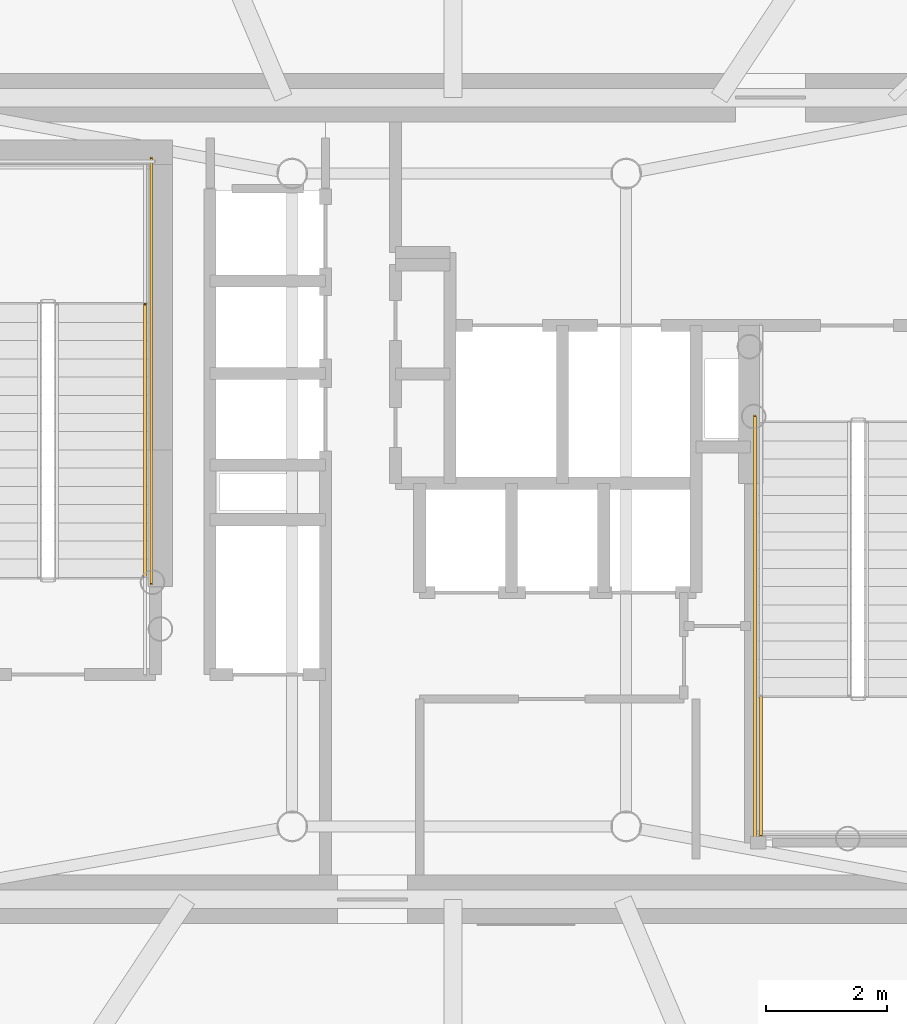
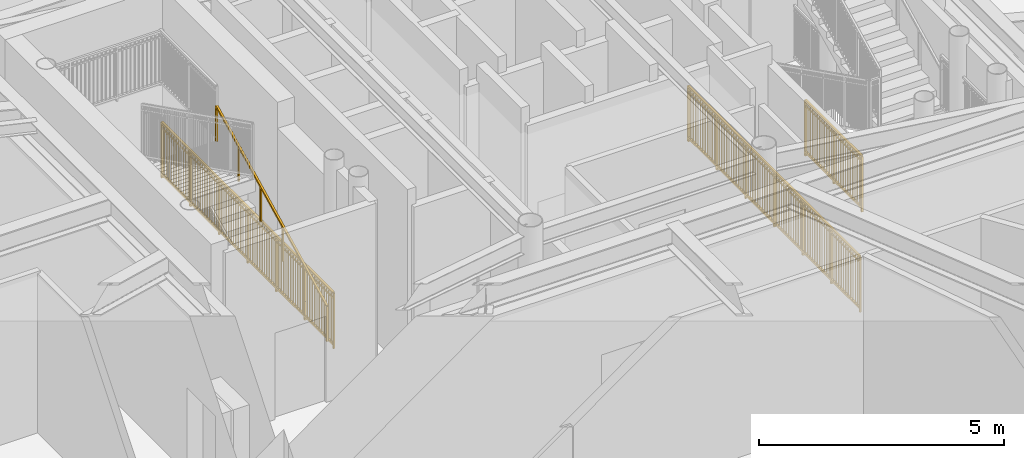
# One storey, part 33 of 38: 4 railings.
"""IFC4 building model written with IfcOpenShell, lengths in metres."""

from ifc_helpers import new_model, si_unit, direction, frame, origin, origin_2d, place, context, subcontext, project, spatial, rectangle, extrude, source, transform, mapped, material, type_object, element, save


model = new_model("IFC4")

# Units and contexts
model_context = context("Model", 3, precision=1e-05, world=origin(), true_north=direction((0.0, 1.0)))
body_context = subcontext(model_context, "Body", "Model", "MODEL_VIEW")
ifc_project = project(units=[si_unit("LENGTHUNIT", "METRE"), si_unit("AREAUNIT", "SQUARE_METRE"), si_unit("VOLUMEUNIT", "CUBIC_METRE"), si_unit("PLANEANGLEUNIT", "RADIAN"), si_unit("MASSUNIT", "GRAM", prefix="KILO")], contexts=[model_context])

# Site, building, storey
site_placement = place(None, origin())
site = spatial("IfcSite", under=ifc_project, at=site_placement, CompositionType="ELEMENT")
building_placement = place(site_placement, origin())
building = spatial("IfcBuilding", under=site, at=building_placement, Name="Linh Dai School and Residence Tower", CompositionType="ELEMENT")
storey_placement = place(building_placement, frame((0.0, 0.0, 151.35009765625)))
storey = spatial("IfcBuildingStorey", under=building, at=storey_placement, Name="L36", CompositionType="ELEMENT", Elevation=151.35009765625)

# Railings
ifc_material_1 = material(Name="Structural Steel S355JR", Category="steel")
railing_type_1 = type_object("IfcRailingType", Name="RL-ST-GUARD-1400", PredefinedType="GUARDRAIL", material=ifc_material_1)
shared_shape_1 = source(origin(), body_context, "Body", "SweptSolid", [
    extrude(rectangle(XDim=0.048095703125, YDim=0.048095703125, at=origin_2d()), frame((0.0, 0.0, 1.3759765625), z_axis=(0.0, 1.0, 0.0), x_axis=(-1.0, 0.0, 0.0)), (0.0, 0.0, 1.0), 7.0),
    extrude(rectangle(XDim=0.048095703125, YDim=0.048095703125, at=origin_2d()), frame((0.0, 0.0, 0.10009765625), z_axis=(0.0, 1.0, 0.0), x_axis=(-1.0, 0.0, 0.0)), (0.0, 0.0, 1.0), 7.0),
    extrude(rectangle(XDim=0.030029296875, YDim=0.030029296875, at=origin_2d()), frame((0.0, 0.0, 1.239990234375), z_axis=(0.0, 1.0, 0.0), x_axis=(-1.0, 0.0, 0.0)), (0.0, 0.0, 1.0), 7.0),
    extrude(rectangle(XDim=0.02001953125, YDim=0.02001953125, at=origin_2d()), frame((0.0, 0.09716796875, 0.10009765625)), (0.0, 0.0, 1.0), 1.251708984375),
    extrude(rectangle(XDim=0.02001953125, YDim=0.02001953125, at=origin_2d()), frame((0.0, 0.1943359375, 0.10009765625)), (0.0, 0.0, 1.0), 1.251708984375),
    extrude(rectangle(XDim=0.02001953125, YDim=0.02001953125, at=origin_2d()), frame((0.0, 0.291748046875, 0.10009765625)), (0.0, 0.0, 1.0), 1.251708984375),
    extrude(rectangle(XDim=0.02001953125, YDim=0.02001953125, at=origin_2d()), frame((0.0, 0.388916015625, 0.10009765625)), (0.0, 0.0, 1.0), 1.251708984375),
    extrude(rectangle(XDim=0.02001953125, YDim=0.02001953125, at=origin_2d()), frame((0.0, 0.486083984375, 0.10009765625)), (0.0, 0.0, 1.0), 1.251708984375),
    extrude(rectangle(XDim=0.02001953125, YDim=0.02001953125, at=origin_2d()), frame((0.0, 0.583251953125, 0.10009765625)), (0.0, 0.0, 1.0), 1.251708984375),
    extrude(rectangle(XDim=0.02001953125, YDim=0.02001953125, at=origin_2d()), frame((0.0, 0.6806640625, 0.10009765625)), (0.0, 0.0, 1.0), 1.251708984375),
    extrude(rectangle(XDim=0.02001953125, YDim=0.02001953125, at=origin_2d()), frame((0.0, 0.77783203125, 0.10009765625)), (0.0, 0.0, 1.0), 1.251708984375),
    extrude(rectangle(XDim=0.02001953125, YDim=0.02001953125, at=origin_2d()), frame((0.0, 0.875, 0.10009765625)), (0.0, 0.0, 1.0), 1.251708984375),
    extrude(rectangle(XDim=0.02001953125, YDim=0.02001953125, at=origin_2d()), frame((0.0, 0.97216796875, 0.10009765625)), (0.0, 0.0, 1.0), 1.251708984375),
    extrude(rectangle(XDim=0.02001953125, YDim=0.02001953125, at=origin_2d()), frame((0.0, 1.0693359375, 0.10009765625)), (0.0, 0.0, 1.0), 1.251708984375),
    extrude(rectangle(XDim=0.02001953125, YDim=0.02001953125, at=origin_2d()), frame((0.0, 1.263916015625, 0.10009765625)), (0.0, 0.0, 1.0), 1.251708984375),
    extrude(rectangle(XDim=0.02001953125, YDim=0.02001953125, at=origin_2d()), frame((0.0, 1.361083984375, 0.10009765625)), (0.0, 0.0, 1.0), 1.251708984375),
    extrude(rectangle(XDim=0.02001953125, YDim=0.02001953125, at=origin_2d()), frame((0.0, 1.458251953125, 0.10009765625)), (0.0, 0.0, 1.0), 1.251708984375),
    extrude(rectangle(XDim=0.02001953125, YDim=0.02001953125, at=origin_2d()), frame((0.0, 1.5556640625, 0.10009765625)), (0.0, 0.0, 1.0), 1.251708984375),
    extrude(rectangle(XDim=0.02001953125, YDim=0.02001953125, at=origin_2d()), frame((0.0, 1.65283203125, 0.10009765625)), (0.0, 0.0, 1.0), 1.251708984375),
    extrude(rectangle(XDim=0.02001953125, YDim=0.02001953125, at=origin_2d()), frame((0.0, 1.75, 0.10009765625)), (0.0, 0.0, 1.0), 1.251708984375),
    extrude(rectangle(XDim=0.02001953125, YDim=0.02001953125, at=origin_2d()), frame((0.0, 1.84716796875, 0.10009765625)), (0.0, 0.0, 1.0), 1.251708984375),
    extrude(rectangle(XDim=0.02001953125, YDim=0.02001953125, at=origin_2d()), frame((0.0, 1.9443359375, 0.10009765625)), (0.0, 0.0, 1.0), 1.251708984375),
    extrude(rectangle(XDim=0.02001953125, YDim=0.02001953125, at=origin_2d()), frame((0.0, 2.041748046875, 0.10009765625)), (0.0, 0.0, 1.0), 1.251708984375),
    extrude(rectangle(XDim=0.02001953125, YDim=0.02001953125, at=origin_2d()), frame((0.0, 2.138916015625, 0.10009765625)), (0.0, 0.0, 1.0), 1.251708984375),
    extrude(rectangle(XDim=0.02001953125, YDim=0.02001953125, at=origin_2d()), frame((0.0, 2.236083984375, 0.10009765625)), (0.0, 0.0, 1.0), 1.251708984375),
    extrude(rectangle(XDim=0.02001953125, YDim=0.02001953125, at=origin_2d()), frame((0.0, 2.4306640625, 0.10009765625)), (0.0, 0.0, 1.0), 1.251708984375),
    extrude(rectangle(XDim=0.02001953125, YDim=0.02001953125, at=origin_2d()), frame((0.0, 2.52783203125, 0.10009765625)), (0.0, 0.0, 1.0), 1.251708984375),
    extrude(rectangle(XDim=0.02001953125, YDim=0.02001953125, at=origin_2d()), frame((0.0, 2.625, 0.10009765625)), (0.0, 0.0, 1.0), 1.251708984375),
    extrude(rectangle(XDim=0.02001953125, YDim=0.02001953125, at=origin_2d()), frame((0.0, 2.72216796875, 0.10009765625)), (0.0, 0.0, 1.0), 1.251708984375),
    extrude(rectangle(XDim=0.02001953125, YDim=0.02001953125, at=origin_2d()), frame((0.0, 2.8193359375, 0.10009765625)), (0.0, 0.0, 1.0), 1.251708984375),
    extrude(rectangle(XDim=0.02001953125, YDim=0.02001953125, at=origin_2d()), frame((0.0, 2.916748046875, 0.10009765625)), (0.0, 0.0, 1.0), 1.251708984375),
    extrude(rectangle(XDim=0.02001953125, YDim=0.02001953125, at=origin_2d()), frame((0.0, 3.013916015625, 0.10009765625)), (0.0, 0.0, 1.0), 1.251708984375),
    extrude(rectangle(XDim=0.02001953125, YDim=0.02001953125, at=origin_2d()), frame((0.0, 3.111083984375, 0.10009765625)), (0.0, 0.0, 1.0), 1.251708984375),
    extrude(rectangle(XDim=0.02001953125, YDim=0.02001953125, at=origin_2d()), frame((0.0, 3.208251953125, 0.10009765625)), (0.0, 0.0, 1.0), 1.251708984375),
    extrude(rectangle(XDim=0.02001953125, YDim=0.02001953125, at=origin_2d()), frame((0.0, 3.3056640625, 0.10009765625)), (0.0, 0.0, 1.0), 1.251708984375),
    extrude(rectangle(XDim=0.02001953125, YDim=0.02001953125, at=origin_2d()), frame((0.0, 3.40283203125, 0.10009765625)), (0.0, 0.0, 1.0), 1.251708984375),
    extrude(rectangle(XDim=0.02001953125, YDim=0.02001953125, at=origin_2d()), frame((0.0, 3.59716796875, 0.10009765625)), (0.0, 0.0, 1.0), 1.251708984375),
    extrude(rectangle(XDim=0.02001953125, YDim=0.02001953125, at=origin_2d()), frame((0.0, 3.6943359375, 0.10009765625)), (0.0, 0.0, 1.0), 1.251708984375),
    extrude(rectangle(XDim=0.02001953125, YDim=0.02001953125, at=origin_2d()), frame((0.0, 3.791748046875, 0.10009765625)), (0.0, 0.0, 1.0), 1.251708984375),
    extrude(rectangle(XDim=0.02001953125, YDim=0.02001953125, at=origin_2d()), frame((0.0, 3.888916015625, 0.10009765625)), (0.0, 0.0, 1.0), 1.251708984375),
    extrude(rectangle(XDim=0.02001953125, YDim=0.02001953125, at=origin_2d()), frame((0.0, 3.986083984375, 0.10009765625)), (0.0, 0.0, 1.0), 1.251708984375),
    extrude(rectangle(XDim=0.02001953125, YDim=0.02001953125, at=origin_2d()), frame((0.0, 4.083251953125, 0.10009765625)), (0.0, 0.0, 1.0), 1.251708984375),
    extrude(rectangle(XDim=0.02001953125, YDim=0.02001953125, at=origin_2d()), frame((0.0, 4.1806640625, 0.10009765625)), (0.0, 0.0, 1.0), 1.251708984375),
    extrude(rectangle(XDim=0.02001953125, YDim=0.02001953125, at=origin_2d()), frame((0.0, 4.27783203125, 0.10009765625)), (0.0, 0.0, 1.0), 1.251708984375),
    extrude(rectangle(XDim=0.02001953125, YDim=0.02001953125, at=origin_2d()), frame((0.0, 4.375, 0.10009765625)), (0.0, 0.0, 1.0), 1.251708984375),
    extrude(rectangle(XDim=0.02001953125, YDim=0.02001953125, at=origin_2d()), frame((0.0, 4.47216796875, 0.10009765625)), (0.0, 0.0, 1.0), 1.251708984375),
    extrude(rectangle(XDim=0.02001953125, YDim=0.02001953125, at=origin_2d()), frame((0.0, 4.5693359375, 0.10009765625)), (0.0, 0.0, 1.0), 1.251708984375),
    extrude(rectangle(XDim=0.02001953125, YDim=0.02001953125, at=origin_2d()), frame((0.0, 4.763916015625, 0.10009765625)), (0.0, 0.0, 1.0), 1.251708984375),
    extrude(rectangle(XDim=0.02001953125, YDim=0.02001953125, at=origin_2d()), frame((0.0, 4.861083984375, 0.10009765625)), (0.0, 0.0, 1.0), 1.251708984375),
    extrude(rectangle(XDim=0.02001953125, YDim=0.02001953125, at=origin_2d()), frame((0.0, 4.958251953125, 0.10009765625)), (0.0, 0.0, 1.0), 1.251708984375),
    extrude(rectangle(XDim=0.02001953125, YDim=0.02001953125, at=origin_2d()), frame((0.0, 5.0556640625, 0.10009765625)), (0.0, 0.0, 1.0), 1.251708984375),
    extrude(rectangle(XDim=0.02001953125, YDim=0.02001953125, at=origin_2d()), frame((0.0, 5.15283203125, 0.10009765625)), (0.0, 0.0, 1.0), 1.251708984375),
    extrude(rectangle(XDim=0.02001953125, YDim=0.02001953125, at=origin_2d()), frame((0.0, 5.25, 0.10009765625)), (0.0, 0.0, 1.0), 1.251708984375),
    extrude(rectangle(XDim=0.02001953125, YDim=0.02001953125, at=origin_2d()), frame((0.0, 5.34716796875, 0.10009765625)), (0.0, 0.0, 1.0), 1.251708984375),
    extrude(rectangle(XDim=0.02001953125, YDim=0.02001953125, at=origin_2d()), frame((0.0, 5.4443359375, 0.10009765625)), (0.0, 0.0, 1.0), 1.251708984375),
    extrude(rectangle(XDim=0.02001953125, YDim=0.02001953125, at=origin_2d()), frame((0.0, 5.541748046875, 0.10009765625)), (0.0, 0.0, 1.0), 1.251708984375),
    extrude(rectangle(XDim=0.02001953125, YDim=0.02001953125, at=origin_2d()), frame((0.0, 5.638916015625, 0.10009765625)), (0.0, 0.0, 1.0), 1.251708984375),
    extrude(rectangle(XDim=0.02001953125, YDim=0.02001953125, at=origin_2d()), frame((0.0, 5.736083984375, 0.10009765625)), (0.0, 0.0, 1.0), 1.251708984375),
    extrude(rectangle(XDim=0.02001953125, YDim=0.02001953125, at=origin_2d()), frame((0.0, 5.9306640625, 0.10009765625)), (0.0, 0.0, 1.0), 1.251708984375),
    extrude(rectangle(XDim=0.02001953125, YDim=0.02001953125, at=origin_2d()), frame((0.0, 6.02783203125, 0.10009765625)), (0.0, 0.0, 1.0), 1.251708984375),
    extrude(rectangle(XDim=0.02001953125, YDim=0.02001953125, at=origin_2d()), frame((0.0, 6.125, 0.10009765625)), (0.0, 0.0, 1.0), 1.251708984375),
    extrude(rectangle(XDim=0.02001953125, YDim=0.02001953125, at=origin_2d()), frame((0.0, 6.22216796875, 0.10009765625)), (0.0, 0.0, 1.0), 1.251708984375),
    extrude(rectangle(XDim=0.02001953125, YDim=0.02001953125, at=origin_2d()), frame((0.0, 6.3193359375, 0.10009765625)), (0.0, 0.0, 1.0), 1.251708984375),
    extrude(rectangle(XDim=0.02001953125, YDim=0.02001953125, at=origin_2d()), frame((0.0, 6.416748046875, 0.10009765625)), (0.0, 0.0, 1.0), 1.251708984375),
    extrude(rectangle(XDim=0.02001953125, YDim=0.02001953125, at=origin_2d()), frame((0.0, 6.513916015625, 0.10009765625)), (0.0, 0.0, 1.0), 1.251708984375),
    extrude(rectangle(XDim=0.02001953125, YDim=0.02001953125, at=origin_2d()), frame((0.0, 6.611083984375, 0.10009765625)), (0.0, 0.0, 1.0), 1.251708984375),
    extrude(rectangle(XDim=0.02001953125, YDim=0.02001953125, at=origin_2d()), frame((0.0, 6.708251953125, 0.10009765625)), (0.0, 0.0, 1.0), 1.251708984375),
    extrude(rectangle(XDim=0.02001953125, YDim=0.02001953125, at=origin_2d()), frame((0.0, 6.8056640625, 0.10009765625)), (0.0, 0.0, 1.0), 1.251708984375),
    extrude(rectangle(XDim=0.02001953125, YDim=0.02001953125, at=origin_2d()), frame((0.0, 6.90283203125, 0.10009765625)), (0.0, 0.0, 1.0), 1.251708984375),
    extrude(rectangle(XDim=0.0419921875, YDim=0.0419921875, at=origin_2d()), origin(), (0.0, 0.0, 1.0), 1.3759765625),
    extrude(rectangle(XDim=0.0419921875, YDim=0.0419921875, at=origin_2d()), frame((0.0, 1.166748046875, 0.0)), (0.0, 0.0, 1.0), 1.3759765625),
    extrude(rectangle(XDim=0.0419921875, YDim=0.0419921875, at=origin_2d()), frame((0.0, 2.333251953125, 0.0)), (0.0, 0.0, 1.0), 1.3759765625),
    extrude(rectangle(XDim=0.0419921875, YDim=0.0419921875, at=origin_2d()), frame((0.0, 3.5, 0.0)), (0.0, 0.0, 1.0), 1.3759765625),
    extrude(rectangle(XDim=0.0419921875, YDim=0.0419921875, at=origin_2d()), frame((0.0, 4.666748046875, 0.0)), (0.0, 0.0, 1.0), 1.3759765625),
    extrude(rectangle(XDim=0.0419921875, YDim=0.0419921875, at=origin_2d()), frame((0.0, 5.833251953125, 0.0)), (0.0, 0.0, 1.0), 1.3759765625),
    extrude(rectangle(XDim=0.0419921875, YDim=0.0419921875, at=origin_2d()), frame((0.0, 7.0, 0.0)), (0.0, 0.0, 1.0), 1.3759765625),
])
railing_1_placement = place(storey_placement, frame((31.030029296875, 25.60009765625, 0.0)))
element("IfcRailing", 1, at=railing_1_placement, inside=storey, type_object=railing_type_1, Name="L36 ST1 stair guard 10", PredefinedType="GUARDRAIL", context=body_context, shape_type="MappedRepresentation", body=[
    mapped(shared_shape_1, transform((0.0, 0.0, 0.0), x_axis=(1.0, 0.0, 0.0), y_axis=(0.0, 1.0, 0.0), z_axis=(0.0, 0.0, 1.0), scale=1.0)),
])
ifc_material_2 = material(Name="Brushed Stainless Steel Handrail", Category="steel")
railing_type_2 = type_object("IfcRailingType", Name="RL-ST-HANDRAIL-900", PredefinedType="HANDRAIL", material=ifc_material_2)
shared_shape_2 = source(origin(), body_context, "Body", "SweptSolid", [
    extrude(rectangle(XDim=0.048095703125, YDim=0.048095703125, at=origin_2d()), frame((0.0, 0.0, 0.8759765625), z_axis=(0.0, 0.894427191, 0.4472135955), x_axis=(-1.0, 0.0, 0.0)), (0.0, 0.0, 1.0), 5.03125),
    extrude(rectangle(XDim=0.0419921875, YDim=0.0419921875, at=origin_2d()), origin(), (0.0, 0.0, 1.0), 0.8759765625),
    extrude(rectangle(XDim=0.0419921875, YDim=0.0419921875, at=origin_2d()), frame((0.0, 0.89990234375, 0.449951171875)), (0.0, 0.0, 1.0), 0.8759765625),
    extrude(rectangle(XDim=0.0419921875, YDim=0.0419921875, at=origin_2d()), frame((0.0, 1.800048828125, 0.89990234375)), (0.0, 0.0, 1.0), 0.8759765625),
    extrude(rectangle(XDim=0.0419921875, YDim=0.0419921875, at=origin_2d()), frame((0.0, 2.699951171875, 1.35009765625)), (0.0, 0.0, 1.0), 0.8759765625),
    extrude(rectangle(XDim=0.0419921875, YDim=0.0419921875, at=origin_2d()), frame((0.0, 3.60009765625, 1.800048828125)), (0.0, 0.0, 1.0), 0.8759765625),
    extrude(rectangle(XDim=0.0419921875, YDim=0.0419921875, at=origin_2d()), frame((0.0, 4.5, 2.25)), (0.0, 0.0, 1.0), 0.8759765625),
])
railing_2_placement = place(storey_placement, frame((30.929931640625, 25.699951171875, 0.14990234375)))
element("IfcRailing", 2, at=railing_2_placement, inside=storey, type_object=railing_type_2, Name="L36 ST1 stair handrail 1", PredefinedType="HANDRAIL", context=body_context, shape_type="MappedRepresentation", body=[
    mapped(shared_shape_2, transform((0.0, 0.0, 0.0), x_axis=(1.0, 0.0, 0.0), y_axis=(0.0, 1.0, 0.0), z_axis=(0.0, 0.0, 1.0), scale=1.0)),
])
shared_shape_3 = source(origin(), body_context, "Body", "SweptSolid", [
    extrude(rectangle(XDim=0.048095703125, YDim=0.048095703125, at=origin_2d()), frame((0.0, 0.0, 1.3759765625), z_axis=(0.0, -1.0, 0.0), x_axis=(1.0, 0.0, 0.0)), (0.0, 0.0, 1.0), 7.0),
    extrude(rectangle(XDim=0.048095703125, YDim=0.048095703125, at=origin_2d()), frame((0.0, 0.0, 0.10009765625), z_axis=(0.0, -1.0, 0.0), x_axis=(1.0, 0.0, 0.0)), (0.0, 0.0, 1.0), 7.0),
    extrude(rectangle(XDim=0.030029296875, YDim=0.030029296875, at=origin_2d()), frame((0.0, 0.0, 1.239990234375), z_axis=(0.0, -1.0, 0.0), x_axis=(1.0, 0.0, 0.0)), (0.0, 0.0, 1.0), 7.0),
    extrude(rectangle(XDim=0.02001953125, YDim=0.02001953125, at=origin_2d()), frame((0.0, -0.09716796875, 0.10009765625)), (0.0, 0.0, 1.0), 1.251708984375),
    extrude(rectangle(XDim=0.02001953125, YDim=0.02001953125, at=origin_2d()), frame((0.0, -0.1943359375, 0.10009765625)), (0.0, 0.0, 1.0), 1.251708984375),
    extrude(rectangle(XDim=0.02001953125, YDim=0.02001953125, at=origin_2d()), frame((0.0, -0.291748046875, 0.10009765625)), (0.0, 0.0, 1.0), 1.251708984375),
    extrude(rectangle(XDim=0.02001953125, YDim=0.02001953125, at=origin_2d()), frame((0.0, -0.388916015625, 0.10009765625)), (0.0, 0.0, 1.0), 1.251708984375),
    extrude(rectangle(XDim=0.02001953125, YDim=0.02001953125, at=origin_2d()), frame((0.0, -0.486083984375, 0.10009765625)), (0.0, 0.0, 1.0), 1.251708984375),
    extrude(rectangle(XDim=0.02001953125, YDim=0.02001953125, at=origin_2d()), frame((0.0, -0.583251953125, 0.10009765625)), (0.0, 0.0, 1.0), 1.251708984375),
    extrude(rectangle(XDim=0.02001953125, YDim=0.02001953125, at=origin_2d()), frame((0.0, -0.6806640625, 0.10009765625)), (0.0, 0.0, 1.0), 1.251708984375),
    extrude(rectangle(XDim=0.02001953125, YDim=0.02001953125, at=origin_2d()), frame((0.0, -0.77783203125, 0.10009765625)), (0.0, 0.0, 1.0), 1.251708984375),
    extrude(rectangle(XDim=0.02001953125, YDim=0.02001953125, at=origin_2d()), frame((0.0, -0.875, 0.10009765625)), (0.0, 0.0, 1.0), 1.251708984375),
    extrude(rectangle(XDim=0.02001953125, YDim=0.02001953125, at=origin_2d()), frame((0.0, -0.97216796875, 0.10009765625)), (0.0, 0.0, 1.0), 1.251708984375),
    extrude(rectangle(XDim=0.02001953125, YDim=0.02001953125, at=origin_2d()), frame((0.0, -1.0693359375, 0.10009765625)), (0.0, 0.0, 1.0), 1.251708984375),
    extrude(rectangle(XDim=0.02001953125, YDim=0.02001953125, at=origin_2d()), frame((0.0, -1.263916015625, 0.10009765625)), (0.0, 0.0, 1.0), 1.251708984375),
    extrude(rectangle(XDim=0.02001953125, YDim=0.02001953125, at=origin_2d()), frame((0.0, -1.361083984375, 0.10009765625)), (0.0, 0.0, 1.0), 1.251708984375),
    extrude(rectangle(XDim=0.02001953125, YDim=0.02001953125, at=origin_2d()), frame((0.0, -1.458251953125, 0.10009765625)), (0.0, 0.0, 1.0), 1.251708984375),
    extrude(rectangle(XDim=0.02001953125, YDim=0.02001953125, at=origin_2d()), frame((0.0, -1.5556640625, 0.10009765625)), (0.0, 0.0, 1.0), 1.251708984375),
    extrude(rectangle(XDim=0.02001953125, YDim=0.02001953125, at=origin_2d()), frame((0.0, -1.65283203125, 0.10009765625)), (0.0, 0.0, 1.0), 1.251708984375),
    extrude(rectangle(XDim=0.02001953125, YDim=0.02001953125, at=origin_2d()), frame((0.0, -1.75, 0.10009765625)), (0.0, 0.0, 1.0), 1.251708984375),
    extrude(rectangle(XDim=0.02001953125, YDim=0.02001953125, at=origin_2d()), frame((0.0, -1.84716796875, 0.10009765625)), (0.0, 0.0, 1.0), 1.251708984375),
    extrude(rectangle(XDim=0.02001953125, YDim=0.02001953125, at=origin_2d()), frame((0.0, -1.9443359375, 0.10009765625)), (0.0, 0.0, 1.0), 1.251708984375),
    extrude(rectangle(XDim=0.02001953125, YDim=0.02001953125, at=origin_2d()), frame((0.0, -2.041748046875, 0.10009765625)), (0.0, 0.0, 1.0), 1.251708984375),
    extrude(rectangle(XDim=0.02001953125, YDim=0.02001953125, at=origin_2d()), frame((0.0, -2.138916015625, 0.10009765625)), (0.0, 0.0, 1.0), 1.251708984375),
    extrude(rectangle(XDim=0.02001953125, YDim=0.02001953125, at=origin_2d()), frame((0.0, -2.236083984375, 0.10009765625)), (0.0, 0.0, 1.0), 1.251708984375),
    extrude(rectangle(XDim=0.02001953125, YDim=0.02001953125, at=origin_2d()), frame((0.0, -2.4306640625, 0.10009765625)), (0.0, 0.0, 1.0), 1.251708984375),
    extrude(rectangle(XDim=0.02001953125, YDim=0.02001953125, at=origin_2d()), frame((0.0, -2.52783203125, 0.10009765625)), (0.0, 0.0, 1.0), 1.251708984375),
    extrude(rectangle(XDim=0.02001953125, YDim=0.02001953125, at=origin_2d()), frame((0.0, -2.625, 0.10009765625)), (0.0, 0.0, 1.0), 1.251708984375),
    extrude(rectangle(XDim=0.02001953125, YDim=0.02001953125, at=origin_2d()), frame((0.0, -2.72216796875, 0.10009765625)), (0.0, 0.0, 1.0), 1.251708984375),
    extrude(rectangle(XDim=0.02001953125, YDim=0.02001953125, at=origin_2d()), frame((0.0, -2.8193359375, 0.10009765625)), (0.0, 0.0, 1.0), 1.251708984375),
    extrude(rectangle(XDim=0.02001953125, YDim=0.02001953125, at=origin_2d()), frame((0.0, -2.916748046875, 0.10009765625)), (0.0, 0.0, 1.0), 1.251708984375),
    extrude(rectangle(XDim=0.02001953125, YDim=0.02001953125, at=origin_2d()), frame((0.0, -3.013916015625, 0.10009765625)), (0.0, 0.0, 1.0), 1.251708984375),
    extrude(rectangle(XDim=0.02001953125, YDim=0.02001953125, at=origin_2d()), frame((0.0, -3.111083984375, 0.10009765625)), (0.0, 0.0, 1.0), 1.251708984375),
    extrude(rectangle(XDim=0.02001953125, YDim=0.02001953125, at=origin_2d()), frame((0.0, -3.208251953125, 0.10009765625)), (0.0, 0.0, 1.0), 1.251708984375),
    extrude(rectangle(XDim=0.02001953125, YDim=0.02001953125, at=origin_2d()), frame((0.0, -3.3056640625, 0.10009765625)), (0.0, 0.0, 1.0), 1.251708984375),
    extrude(rectangle(XDim=0.02001953125, YDim=0.02001953125, at=origin_2d()), frame((0.0, -3.40283203125, 0.10009765625)), (0.0, 0.0, 1.0), 1.251708984375),
    extrude(rectangle(XDim=0.02001953125, YDim=0.02001953125, at=origin_2d()), frame((0.0, -3.59716796875, 0.10009765625)), (0.0, 0.0, 1.0), 1.251708984375),
    extrude(rectangle(XDim=0.02001953125, YDim=0.02001953125, at=origin_2d()), frame((0.0, -3.6943359375, 0.10009765625)), (0.0, 0.0, 1.0), 1.251708984375),
    extrude(rectangle(XDim=0.02001953125, YDim=0.02001953125, at=origin_2d()), frame((0.0, -3.791748046875, 0.10009765625)), (0.0, 0.0, 1.0), 1.251708984375),
    extrude(rectangle(XDim=0.02001953125, YDim=0.02001953125, at=origin_2d()), frame((0.0, -3.888916015625, 0.10009765625)), (0.0, 0.0, 1.0), 1.251708984375),
    extrude(rectangle(XDim=0.02001953125, YDim=0.02001953125, at=origin_2d()), frame((0.0, -3.986083984375, 0.10009765625)), (0.0, 0.0, 1.0), 1.251708984375),
    extrude(rectangle(XDim=0.02001953125, YDim=0.02001953125, at=origin_2d()), frame((0.0, -4.083251953125, 0.10009765625)), (0.0, 0.0, 1.0), 1.251708984375),
    extrude(rectangle(XDim=0.02001953125, YDim=0.02001953125, at=origin_2d()), frame((0.0, -4.1806640625, 0.10009765625)), (0.0, 0.0, 1.0), 1.251708984375),
    extrude(rectangle(XDim=0.02001953125, YDim=0.02001953125, at=origin_2d()), frame((0.0, -4.27783203125, 0.10009765625)), (0.0, 0.0, 1.0), 1.251708984375),
    extrude(rectangle(XDim=0.02001953125, YDim=0.02001953125, at=origin_2d()), frame((0.0, -4.375, 0.10009765625)), (0.0, 0.0, 1.0), 1.251708984375),
    extrude(rectangle(XDim=0.02001953125, YDim=0.02001953125, at=origin_2d()), frame((0.0, -4.47216796875, 0.10009765625)), (0.0, 0.0, 1.0), 1.251708984375),
    extrude(rectangle(XDim=0.02001953125, YDim=0.02001953125, at=origin_2d()), frame((0.0, -4.5693359375, 0.10009765625)), (0.0, 0.0, 1.0), 1.251708984375),
    extrude(rectangle(XDim=0.02001953125, YDim=0.02001953125, at=origin_2d()), frame((0.0, -4.763916015625, 0.10009765625)), (0.0, 0.0, 1.0), 1.251708984375),
    extrude(rectangle(XDim=0.02001953125, YDim=0.02001953125, at=origin_2d()), frame((0.0, -4.861083984375, 0.10009765625)), (0.0, 0.0, 1.0), 1.251708984375),
    extrude(rectangle(XDim=0.02001953125, YDim=0.02001953125, at=origin_2d()), frame((0.0, -4.958251953125, 0.10009765625)), (0.0, 0.0, 1.0), 1.251708984375),
    extrude(rectangle(XDim=0.02001953125, YDim=0.02001953125, at=origin_2d()), frame((0.0, -5.0556640625, 0.10009765625)), (0.0, 0.0, 1.0), 1.251708984375),
    extrude(rectangle(XDim=0.02001953125, YDim=0.02001953125, at=origin_2d()), frame((0.0, -5.15283203125, 0.10009765625)), (0.0, 0.0, 1.0), 1.251708984375),
    extrude(rectangle(XDim=0.02001953125, YDim=0.02001953125, at=origin_2d()), frame((0.0, -5.25, 0.10009765625)), (0.0, 0.0, 1.0), 1.251708984375),
    extrude(rectangle(XDim=0.02001953125, YDim=0.02001953125, at=origin_2d()), frame((0.0, -5.34716796875, 0.10009765625)), (0.0, 0.0, 1.0), 1.251708984375),
    extrude(rectangle(XDim=0.02001953125, YDim=0.02001953125, at=origin_2d()), frame((0.0, -5.4443359375, 0.10009765625)), (0.0, 0.0, 1.0), 1.251708984375),
    extrude(rectangle(XDim=0.02001953125, YDim=0.02001953125, at=origin_2d()), frame((0.0, -5.541748046875, 0.10009765625)), (0.0, 0.0, 1.0), 1.251708984375),
    extrude(rectangle(XDim=0.02001953125, YDim=0.02001953125, at=origin_2d()), frame((0.0, -5.638916015625, 0.10009765625)), (0.0, 0.0, 1.0), 1.251708984375),
    extrude(rectangle(XDim=0.02001953125, YDim=0.02001953125, at=origin_2d()), frame((0.0, -5.736083984375, 0.10009765625)), (0.0, 0.0, 1.0), 1.251708984375),
    extrude(rectangle(XDim=0.02001953125, YDim=0.02001953125, at=origin_2d()), frame((0.0, -5.9306640625, 0.10009765625)), (0.0, 0.0, 1.0), 1.251708984375),
    extrude(rectangle(XDim=0.02001953125, YDim=0.02001953125, at=origin_2d()), frame((0.0, -6.02783203125, 0.10009765625)), (0.0, 0.0, 1.0), 1.251708984375),
    extrude(rectangle(XDim=0.02001953125, YDim=0.02001953125, at=origin_2d()), frame((0.0, -6.125, 0.10009765625)), (0.0, 0.0, 1.0), 1.251708984375),
    extrude(rectangle(XDim=0.02001953125, YDim=0.02001953125, at=origin_2d()), frame((0.0, -6.22216796875, 0.10009765625)), (0.0, 0.0, 1.0), 1.251708984375),
    extrude(rectangle(XDim=0.02001953125, YDim=0.02001953125, at=origin_2d()), frame((0.0, -6.3193359375, 0.10009765625)), (0.0, 0.0, 1.0), 1.251708984375),
    extrude(rectangle(XDim=0.02001953125, YDim=0.02001953125, at=origin_2d()), frame((0.0, -6.416748046875, 0.10009765625)), (0.0, 0.0, 1.0), 1.251708984375),
    extrude(rectangle(XDim=0.02001953125, YDim=0.02001953125, at=origin_2d()), frame((0.0, -6.513916015625, 0.10009765625)), (0.0, 0.0, 1.0), 1.251708984375),
    extrude(rectangle(XDim=0.02001953125, YDim=0.02001953125, at=origin_2d()), frame((0.0, -6.611083984375, 0.10009765625)), (0.0, 0.0, 1.0), 1.251708984375),
    extrude(rectangle(XDim=0.02001953125, YDim=0.02001953125, at=origin_2d()), frame((0.0, -6.708251953125, 0.10009765625)), (0.0, 0.0, 1.0), 1.251708984375),
    extrude(rectangle(XDim=0.02001953125, YDim=0.02001953125, at=origin_2d()), frame((0.0, -6.8056640625, 0.10009765625)), (0.0, 0.0, 1.0), 1.251708984375),
    extrude(rectangle(XDim=0.02001953125, YDim=0.02001953125, at=origin_2d()), frame((0.0, -6.90283203125, 0.10009765625)), (0.0, 0.0, 1.0), 1.251708984375),
    extrude(rectangle(XDim=0.0419921875, YDim=0.0419921875, at=origin_2d()), origin(), (0.0, 0.0, 1.0), 1.3759765625),
    extrude(rectangle(XDim=0.0419921875, YDim=0.0419921875, at=origin_2d()), frame((0.0, -1.166748046875, 0.0)), (0.0, 0.0, 1.0), 1.3759765625),
    extrude(rectangle(XDim=0.0419921875, YDim=0.0419921875, at=origin_2d()), frame((0.0, -2.333251953125, 0.0)), (0.0, 0.0, 1.0), 1.3759765625),
    extrude(rectangle(XDim=0.0419921875, YDim=0.0419921875, at=origin_2d()), frame((0.0, -3.5, 0.0)), (0.0, 0.0, 1.0), 1.3759765625),
    extrude(rectangle(XDim=0.0419921875, YDim=0.0419921875, at=origin_2d()), frame((0.0, -4.666748046875, 0.0)), (0.0, 0.0, 1.0), 1.3759765625),
    extrude(rectangle(XDim=0.0419921875, YDim=0.0419921875, at=origin_2d()), frame((0.0, -5.833251953125, 0.0)), (0.0, 0.0, 1.0), 1.3759765625),
    extrude(rectangle(XDim=0.0419921875, YDim=0.0419921875, at=origin_2d()), frame((0.0, -7.0, 0.0)), (0.0, 0.0, 1.0), 1.3759765625),
])
railing_3_placement = place(storey_placement, frame((40.969970703125, 28.35009765625, 0.0)))
element("IfcRailing", 3, at=railing_3_placement, inside=storey, type_object=railing_type_1, Name="L36 ST2 stair guard 10", PredefinedType="GUARDRAIL", context=body_context, shape_type="MappedRepresentation", body=[
    mapped(shared_shape_3, transform((0.0, 0.0, 0.0), x_axis=(1.0, 0.0, 0.0), y_axis=(0.0, 1.0, 0.0), z_axis=(0.0, 0.0, 1.0), scale=1.0)),
])
shared_shape_4 = source(origin(), body_context, "Body", "SweptSolid", [
    extrude(rectangle(XDim=0.048095703125, YDim=0.048095703125, at=origin_2d()), frame((0.0, 0.0, 1.3759765625), z_axis=(0.0, -1.0, 0.0), x_axis=(1.0, 0.0, 0.0)), (0.0, 0.0, 1.0), 2.300048828125),
    extrude(rectangle(XDim=0.048095703125, YDim=0.048095703125, at=origin_2d()), frame((0.0, 0.0, 0.10009765625), z_axis=(0.0, -1.0, 0.0), x_axis=(1.0, 0.0, 0.0)), (0.0, 0.0, 1.0), 2.300048828125),
    extrude(rectangle(XDim=0.030029296875, YDim=0.030029296875, at=origin_2d()), frame((0.0, 0.0, 1.239990234375), z_axis=(0.0, -1.0, 0.0), x_axis=(1.0, 0.0, 0.0)), (0.0, 0.0, 1.0), 2.300048828125),
    extrude(rectangle(XDim=0.02001953125, YDim=0.02001953125, at=origin_2d()), frame((0.0, -0.095947265625, 0.10009765625)), (0.0, 0.0, 1.0), 1.251708984375),
    extrude(rectangle(XDim=0.02001953125, YDim=0.02001953125, at=origin_2d()), frame((0.0, -0.191650390625, 0.10009765625)), (0.0, 0.0, 1.0), 1.251708984375),
    extrude(rectangle(XDim=0.02001953125, YDim=0.02001953125, at=origin_2d()), frame((0.0, -0.28759765625, 0.10009765625)), (0.0, 0.0, 1.0), 1.251708984375),
    extrude(rectangle(XDim=0.02001953125, YDim=0.02001953125, at=origin_2d()), frame((0.0, -0.38330078125, 0.10009765625)), (0.0, 0.0, 1.0), 1.251708984375),
    extrude(rectangle(XDim=0.02001953125, YDim=0.02001953125, at=origin_2d()), frame((0.0, -0.479248046875, 0.10009765625)), (0.0, 0.0, 1.0), 1.251708984375),
    extrude(rectangle(XDim=0.02001953125, YDim=0.02001953125, at=origin_2d()), frame((0.0, -0.574951171875, 0.10009765625)), (0.0, 0.0, 1.0), 1.251708984375),
    extrude(rectangle(XDim=0.02001953125, YDim=0.02001953125, at=origin_2d()), frame((0.0, -0.6708984375, 0.10009765625)), (0.0, 0.0, 1.0), 1.251708984375),
    extrude(rectangle(XDim=0.02001953125, YDim=0.02001953125, at=origin_2d()), frame((0.0, -0.7666015625, 0.10009765625)), (0.0, 0.0, 1.0), 1.251708984375),
    extrude(rectangle(XDim=0.02001953125, YDim=0.02001953125, at=origin_2d()), frame((0.0, -0.862548828125, 0.10009765625)), (0.0, 0.0, 1.0), 1.251708984375),
    extrude(rectangle(XDim=0.02001953125, YDim=0.02001953125, at=origin_2d()), frame((0.0, -0.958251953125, 0.10009765625)), (0.0, 0.0, 1.0), 1.251708984375),
    extrude(rectangle(XDim=0.02001953125, YDim=0.02001953125, at=origin_2d()), frame((0.0, -1.05419921875, 0.10009765625)), (0.0, 0.0, 1.0), 1.251708984375),
    extrude(rectangle(XDim=0.02001953125, YDim=0.02001953125, at=origin_2d()), frame((0.0, -1.245849609375, 0.10009765625)), (0.0, 0.0, 1.0), 1.251708984375),
    extrude(rectangle(XDim=0.02001953125, YDim=0.02001953125, at=origin_2d()), frame((0.0, -1.341796875, 0.10009765625)), (0.0, 0.0, 1.0), 1.251708984375),
    extrude(rectangle(XDim=0.02001953125, YDim=0.02001953125, at=origin_2d()), frame((0.0, -1.4375, 0.10009765625)), (0.0, 0.0, 1.0), 1.251708984375),
    extrude(rectangle(XDim=0.02001953125, YDim=0.02001953125, at=origin_2d()), frame((0.0, -1.533447265625, 0.10009765625)), (0.0, 0.0, 1.0), 1.251708984375),
    extrude(rectangle(XDim=0.02001953125, YDim=0.02001953125, at=origin_2d()), frame((0.0, -1.629150390625, 0.10009765625)), (0.0, 0.0, 1.0), 1.251708984375),
    extrude(rectangle(XDim=0.02001953125, YDim=0.02001953125, at=origin_2d()), frame((0.0, -1.72509765625, 0.10009765625)), (0.0, 0.0, 1.0), 1.251708984375),
    extrude(rectangle(XDim=0.02001953125, YDim=0.02001953125, at=origin_2d()), frame((0.0, -1.82080078125, 0.10009765625)), (0.0, 0.0, 1.0), 1.251708984375),
    extrude(rectangle(XDim=0.02001953125, YDim=0.02001953125, at=origin_2d()), frame((0.0, -1.916748046875, 0.10009765625)), (0.0, 0.0, 1.0), 1.251708984375),
    extrude(rectangle(XDim=0.02001953125, YDim=0.02001953125, at=origin_2d()), frame((0.0, -2.012451171875, 0.10009765625)), (0.0, 0.0, 1.0), 1.251708984375),
    extrude(rectangle(XDim=0.02001953125, YDim=0.02001953125, at=origin_2d()), frame((0.0, -2.1083984375, 0.10009765625)), (0.0, 0.0, 1.0), 1.251708984375),
    extrude(rectangle(XDim=0.02001953125, YDim=0.02001953125, at=origin_2d()), frame((0.0, -2.2041015625, 0.10009765625)), (0.0, 0.0, 1.0), 1.251708984375),
    extrude(rectangle(XDim=0.0419921875, YDim=0.0419921875, at=origin_2d()), origin(), (0.0, 0.0, 1.0), 1.3759765625),
    extrude(rectangle(XDim=0.0419921875, YDim=0.0419921875, at=origin_2d()), frame((0.0, -1.14990234375, 0.0)), (0.0, 0.0, 1.0), 1.3759765625),
    extrude(rectangle(XDim=0.0419921875, YDim=0.0419921875, at=origin_2d()), frame((0.0, -2.300048828125, 0.0)), (0.0, 0.0, 1.0), 1.3759765625),
])
railing_4_placement = place(storey_placement, frame((41.070068359375, 23.75, 2.39990234375)))
element("IfcRailing", 4, at=railing_4_placement, inside=storey, type_object=railing_type_1, Name="L36 ST2 stair guard 3", PredefinedType="GUARDRAIL", context=body_context, shape_type="MappedRepresentation", body=[
    mapped(shared_shape_4, transform((0.0, 0.0, 0.0), x_axis=(1.0, 0.0, 0.0), y_axis=(0.0, 1.0, 0.0), z_axis=(0.0, 0.0, 1.0), scale=1.0)),
])

save(model, "model.ifc")
